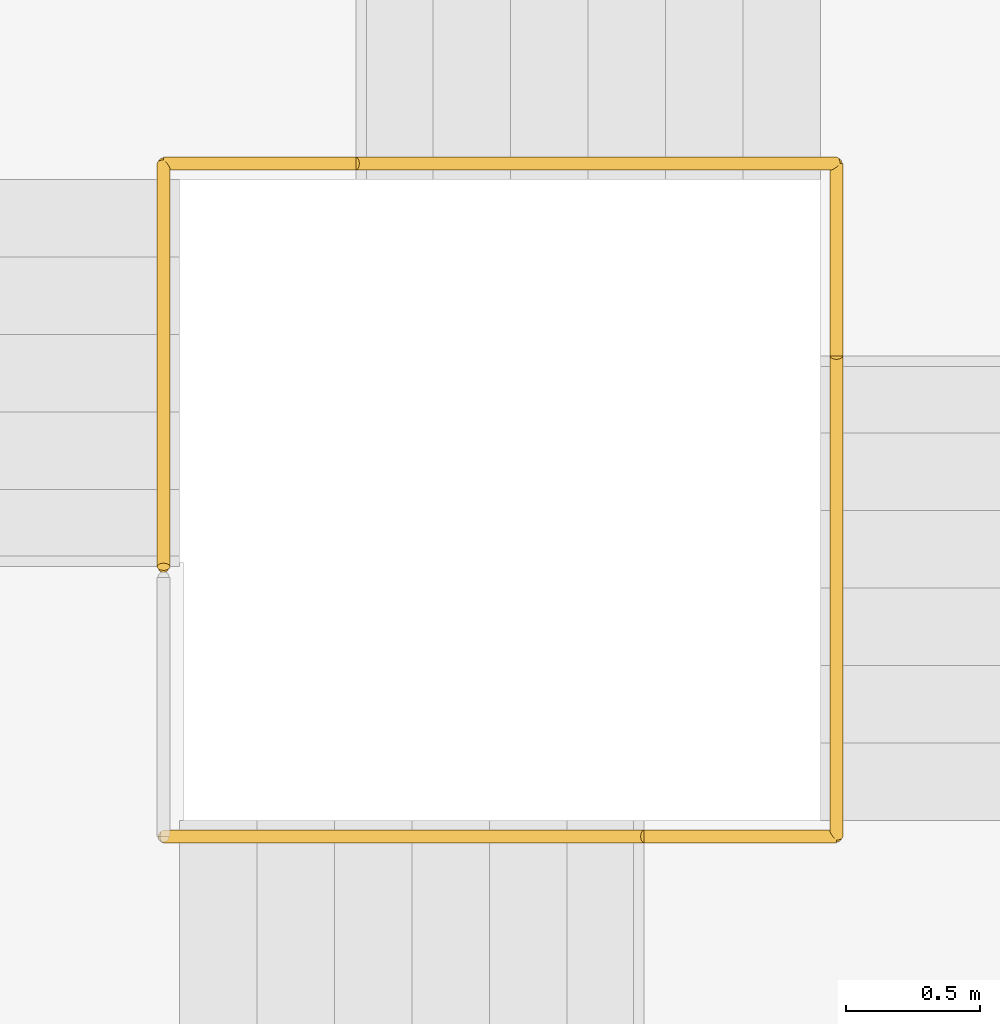
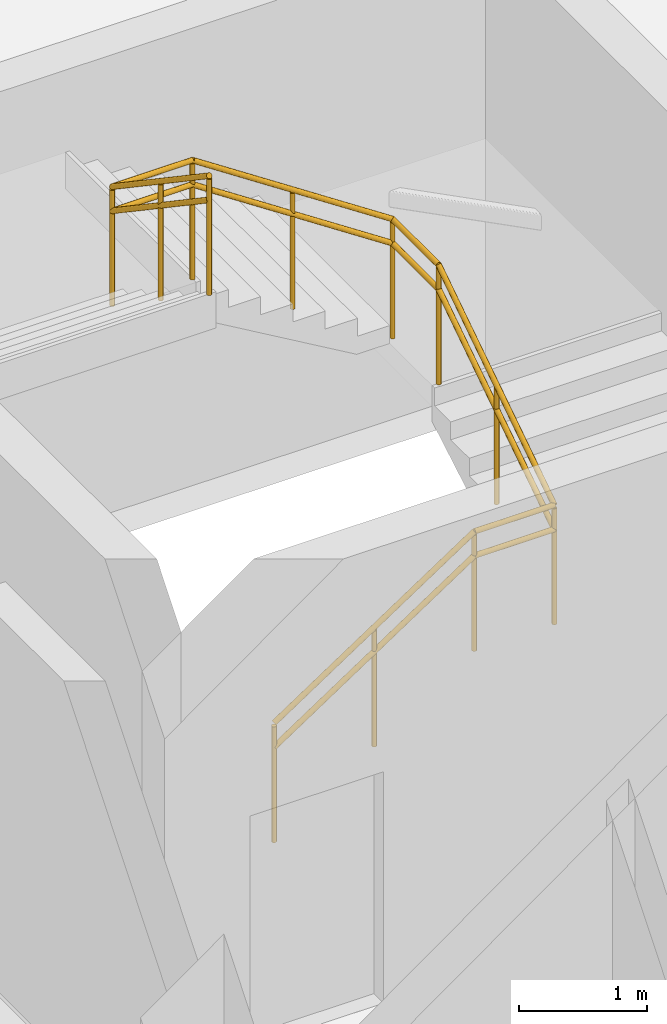
# One storey, part 49 of 49: 2 railings.
"""IFC4 building model written with IfcOpenShell, lengths in metres."""

from ifc_helpers import new_model, si_unit, direction, frame, origin, origin_2d, place, context, subcontext, project, spatial, circle, extrude, material, type_object, element, save


model = new_model("IFC4")

# Units and contexts
model_context = context("Model", 3, precision=1e-05, world=origin(), true_north=direction((0.0, 1.0)))
body_context = subcontext(model_context, "Body", "Model", "MODEL_VIEW")
ifc_project = project(units=[si_unit("LENGTHUNIT", "METRE"), si_unit("AREAUNIT", "SQUARE_METRE"), si_unit("VOLUMEUNIT", "CUBIC_METRE"), si_unit("PLANEANGLEUNIT", "RADIAN"), si_unit("MASSUNIT", "GRAM", prefix="KILO")], contexts=[model_context])

# Site, building, storey
site_placement = place(None, origin())
site = spatial("IfcSite", under=ifc_project, at=site_placement, CompositionType="ELEMENT")
building_placement = place(site_placement, origin())
building = spatial("IfcBuilding", under=site, at=building_placement, Name="Sillaruma Civic Art Gallery", CompositionType="ELEMENT")
storey_placement = place(building_placement, frame((0.0, 0.0, 33.14990234375)))
storey = spatial("IfcBuildingStorey", under=building, at=storey_placement, Name="L06", CompositionType="ELEMENT", Elevation=33.14990234375)

# Railings
ifc_material = material(Name="Stainless Steel AISI 316", Category="steel")
railing_type_1 = type_object("IfcRailingType", Name="RAL-BAL-1150", PredefinedType="BALUSTRADE", material=ifc_material)
railing_1_placement = place(storey_placement, frame((64.739990234375, 82.889892578125, 0.0)))
element("IfcRailing", 1, at=railing_1_placement, inside=storey, type_object=railing_type_1, Name="Stair Well Balustrade (ST-02-L06)", PredefinedType="BALUSTRADE", context=body_context, shape_type="SweptSolid", body=[
    extrude(circle(Radius=0.02392578125, at=origin_2d()), frame((0.0, 0.0, 1.1259765625), z_axis=(0.834150363844, 0.0, 0.551537098025), x_axis=(0.0, 1.0, 0.0)), (0.0, 0.0, 1.0), 2.157958984375),
    extrude(circle(Radius=0.02392578125, at=origin_2d()), frame((1.800048828125, 0.0, 2.31591796875), z_axis=(1.0, 0.0, 0.0), x_axis=(0.0, 1.0, 0.0)), (0.0, 0.0, 1.0), 0.719970703125),
    extrude(circle(Radius=0.02392578125, at=origin_2d()), frame((2.52001953125, 0.0, 2.31591796875), z_axis=(0.0, 0.834202413191, 0.551458369984), x_axis=(-1.0, 0.0, 0.0)), (0.0, 0.0, 1.0), 2.15771484375),
    extrude(circle(Radius=0.02392578125, at=origin_2d()), frame((2.52001953125, 1.800048828125, 3.505859375), z_axis=(0.0, 1.0, 0.0), x_axis=(-1.0, 0.0, 0.0)), (0.0, 0.0, 1.0), 0.719970703125),
    extrude(circle(Radius=0.02392578125, at=origin_2d()), frame((2.52001953125, 2.52001953125, 3.505859375), z_axis=(-0.834202413191, 0.0, 0.551458369984), x_axis=(0.0, -1.0, 0.0)), (0.0, 0.0, 1.0), 2.15771484375),
    extrude(circle(Radius=0.02392578125, at=origin_2d()), frame((0.719970703125, 2.52001953125, 4.69580078125), z_axis=(-1.0, 0.0, 0.0), x_axis=(0.0, -1.0, 0.0)), (0.0, 0.0, 1.0), 0.719970703125),
    extrude(circle(Radius=0.02392578125, at=origin_2d()), frame((0.0, 2.52001953125, 4.69580078125), z_axis=(0.0, -0.828654473869, 0.559760451387), x_axis=(1.0, 0.0, 0.0)), (0.0, 0.0, 1.0), 1.822265625),
    extrude(circle(Radius=0.02099609375, at=origin_2d()), origin(), (0.0, 0.0, 1.0), 1.101806640625),
    extrude(circle(Radius=0.02099609375, at=origin_2d()), frame((0.89990234375, 0.0, 0.59521484375)), (0.0, 0.0, 1.0), 1.101806640625),
    extrude(circle(Radius=0.02099609375, at=origin_2d()), frame((1.800048828125, 0.0, 1.190185546875)), (0.0, 0.0, 1.0), 1.101806640625),
    extrude(circle(Radius=0.02099609375, at=origin_2d()), frame((2.52001953125, 0.0, 1.190185546875)), (0.0, 0.0, 1.0), 1.101806640625),
    extrude(circle(Radius=0.02099609375, at=origin_2d()), frame((2.52001953125, 0.89990234375, 1.78515625)), (0.0, 0.0, 1.0), 1.101806640625),
    extrude(circle(Radius=0.02099609375, at=origin_2d()), frame((2.52001953125, 1.800048828125, 2.380126953125)), (0.0, 0.0, 1.0), 1.101806640625),
    extrude(circle(Radius=0.02099609375, at=origin_2d()), frame((2.52001953125, 2.52001953125, 2.380126953125)), (0.0, 0.0, 1.0), 1.101806640625),
    extrude(circle(Radius=0.02099609375, at=origin_2d()), frame((1.6201171875, 2.52001953125, 2.97509765625)), (0.0, 0.0, 1.0), 1.101806640625),
    extrude(circle(Radius=0.02099609375, at=origin_2d()), frame((0.719970703125, 2.52001953125, 3.570068359375)), (0.0, 0.0, 1.0), 1.101806640625),
    extrude(circle(Radius=0.02099609375, at=origin_2d()), frame((0.0, 2.52001953125, 3.570068359375)), (0.0, 0.0, 1.0), 1.101806640625),
    extrude(circle(Radius=0.02099609375, at=origin_2d()), frame((0.0, 1.76513671875, 4.080078125)), (0.0, 0.0, 1.0), 1.101806640625),
    extrude(circle(Radius=0.02099609375, at=origin_2d()), frame((0.0, 1.010009765625, 4.590087890625)), (0.0, 0.0, 1.0), 1.101806640625),
])
railing_type_2 = type_object("IfcRailingType", Name="RAL-HND-920", PredefinedType="HANDRAIL", material=ifc_material)
railing_2_placement = place(storey_placement, frame((64.739990234375, 82.889892578125, 0.0)))
element("IfcRailing", 2, at=railing_2_placement, inside=storey, type_object=railing_type_2, Name="Stair Continuous Handrail (ST-02-L06)", PredefinedType="HANDRAIL", context=body_context, shape_type="SweptSolid", body=[
    extrude(circle(Radius=0.02392578125, at=origin_2d()), frame((0.0, 0.0, 0.89599609375), z_axis=(0.834150363844, 0.0, 0.551537098025), x_axis=(0.0, 1.0, 0.0)), (0.0, 0.0, 1.0), 2.157958984375),
    extrude(circle(Radius=0.02392578125, at=origin_2d()), frame((1.800048828125, 0.0, 2.0859375), z_axis=(1.0, 0.0, 0.0), x_axis=(0.0, 1.0, 0.0)), (0.0, 0.0, 1.0), 0.719970703125),
    extrude(circle(Radius=0.02392578125, at=origin_2d()), frame((2.52001953125, 0.0, 2.0859375), z_axis=(0.0, 0.834202413191, 0.551458369984), x_axis=(-1.0, 0.0, 0.0)), (0.0, 0.0, 1.0), 2.15771484375),
    extrude(circle(Radius=0.02392578125, at=origin_2d()), frame((2.52001953125, 1.800048828125, 3.27587890625), z_axis=(0.0, 1.0, 0.0), x_axis=(-1.0, 0.0, 0.0)), (0.0, 0.0, 1.0), 0.719970703125),
    extrude(circle(Radius=0.02392578125, at=origin_2d()), frame((2.52001953125, 2.52001953125, 3.27587890625), z_axis=(-0.834202413191, 0.0, 0.551458369984), x_axis=(0.0, -1.0, 0.0)), (0.0, 0.0, 1.0), 2.15771484375),
    extrude(circle(Radius=0.02392578125, at=origin_2d()), frame((0.719970703125, 2.52001953125, 4.4658203125), z_axis=(-1.0, 0.0, 0.0), x_axis=(0.0, -1.0, 0.0)), (0.0, 0.0, 1.0), 0.719970703125),
    extrude(circle(Radius=0.02392578125, at=origin_2d()), frame((0.0, 2.52001953125, 4.4658203125), z_axis=(0.0, -0.828654473869, 0.559760451387), x_axis=(1.0, 0.0, 0.0)), (0.0, 0.0, 1.0), 1.822265625),
    extrude(circle(Radius=0.02099609375, at=origin_2d()), origin(), (0.0, 0.0, 1.0), 0.871826171875),
    extrude(circle(Radius=0.02099609375, at=origin_2d()), frame((0.89990234375, 0.0, 0.59521484375)), (0.0, 0.0, 1.0), 0.871826171875),
    extrude(circle(Radius=0.02099609375, at=origin_2d()), frame((1.800048828125, 0.0, 1.190185546875)), (0.0, 0.0, 1.0), 0.871826171875),
    extrude(circle(Radius=0.02099609375, at=origin_2d()), frame((2.52001953125, 0.0, 1.190185546875)), (0.0, 0.0, 1.0), 0.871826171875),
    extrude(circle(Radius=0.02099609375, at=origin_2d()), frame((2.52001953125, 0.89990234375, 1.78515625)), (0.0, 0.0, 1.0), 0.871826171875),
    extrude(circle(Radius=0.02099609375, at=origin_2d()), frame((2.52001953125, 1.800048828125, 2.380126953125)), (0.0, 0.0, 1.0), 0.871826171875),
    extrude(circle(Radius=0.02099609375, at=origin_2d()), frame((2.52001953125, 2.52001953125, 2.380126953125)), (0.0, 0.0, 1.0), 0.871826171875),
    extrude(circle(Radius=0.02099609375, at=origin_2d()), frame((1.6201171875, 2.52001953125, 2.97509765625)), (0.0, 0.0, 1.0), 0.871826171875),
    extrude(circle(Radius=0.02099609375, at=origin_2d()), frame((0.719970703125, 2.52001953125, 3.570068359375)), (0.0, 0.0, 1.0), 0.871826171875),
    extrude(circle(Radius=0.02099609375, at=origin_2d()), frame((0.0, 2.52001953125, 3.570068359375)), (0.0, 0.0, 1.0), 0.871826171875),
    extrude(circle(Radius=0.02099609375, at=origin_2d()), frame((0.0, 1.76513671875, 4.080078125)), (0.0, 0.0, 1.0), 0.871826171875),
    extrude(circle(Radius=0.02099609375, at=origin_2d()), frame((0.0, 1.010009765625, 4.590087890625)), (0.0, 0.0, 1.0), 0.871826171875),
])

save(model, "model.ifc")
